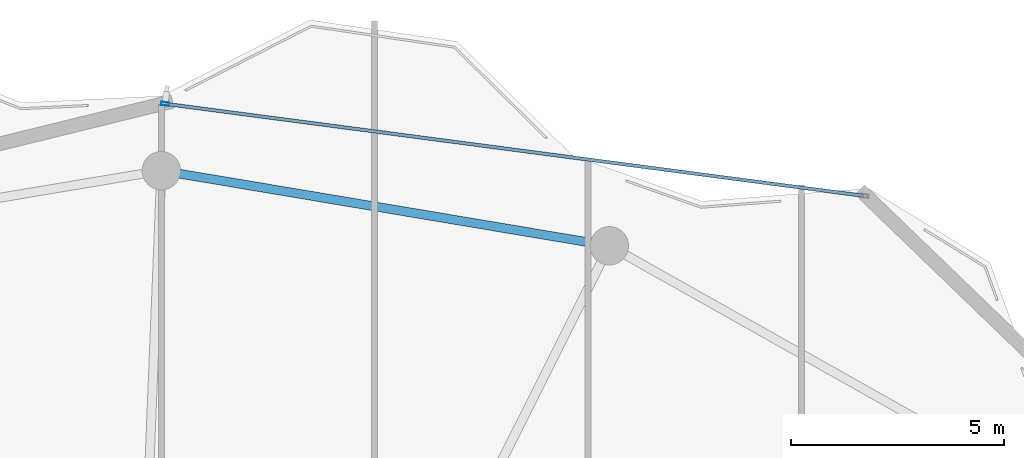
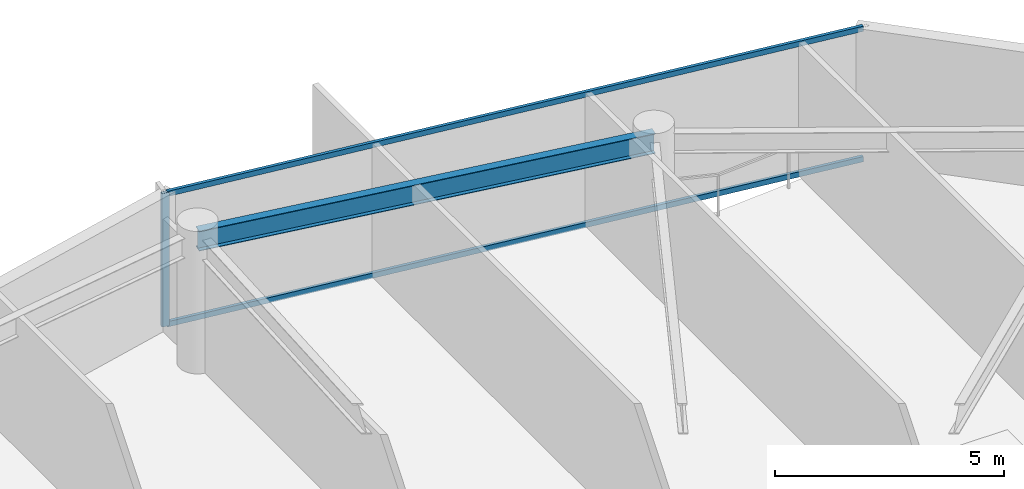
# One storey, part 21 of 30: 3 members, 1 beam, 1 element without a shape of its own.
"""IFC4 building model written with IfcOpenShell, lengths in metres."""

from ifc_helpers import new_model, si_unit, direction, frame, origin, origin_2d, place, context, subcontext, project, spatial, hollow_rectangle, i_section, extrude, material, layer, layer_set, material_profile, profile_set, type_object, element, aggregate, save


model = new_model("IFC4")

# Units and contexts
model_context = context("Model", 3, precision=1e-05, world=origin(), true_north=direction((0.0, 1.0)))
body_context = subcontext(model_context, "Body", "Model", "MODEL_VIEW")
ifc_project = project(units=[si_unit("LENGTHUNIT", "METRE"), si_unit("AREAUNIT", "SQUARE_METRE"), si_unit("VOLUMEUNIT", "CUBIC_METRE"), si_unit("PLANEANGLEUNIT", "RADIAN"), si_unit("MASSUNIT", "GRAM", prefix="KILO")], contexts=[model_context])

# Site, building, storey
site_placement = place(None, origin())
site = spatial("IfcSite", under=ifc_project, at=site_placement, CompositionType="ELEMENT")
building_placement = place(site_placement, origin())
building = spatial("IfcBuilding", under=site, at=building_placement, Name="Kazevale Care Tower and Concert Hall", CompositionType="ELEMENT")
storey_placement = place(building_placement, frame((0.0, 0.0, 258.60009765625)))
storey = spatial("IfcBuildingStorey", under=building, at=storey_placement, Name="L68", CompositionType="ELEMENT", Elevation=258.60009765625)

# Curtain wall, members
ifc_material_1 = material(Name="Aluminium 6063-T6 and Low-E Glass", Category="aluminium")
ifc_layer = layer(ifc_material_1, 0.179931640625)
ifc_layer_set = layer_set([ifc_layer], Name="Aluminium 6063-T6 and Low-E Glass")
curtain_wall_type = type_object("IfcCurtainWallType", Name="Waist & Upper Residential Curtain Wall CW-4", PredefinedType="NOTDEFINED", material=ifc_layer_set)
curtain_wall_placement = place(storey_placement, origin())
curtain_wall = element("IfcCurtainWall", 1, at=curtain_wall_placement, inside=storey, type_object=curtain_wall_type, Name="cw:L68:f16", PredefinedType="NOTDEFINED")
ifc_material_2 = material(Name="Aluminium 6063-T6", Category="aluminium")
ifc_material_profile_1 = material_profile(ifc_material_2, hollow_rectangle(XDim=0.080078125, YDim=0.179931640625, WallThickness=0.0048828125, at=origin_2d()), Name="ALU80x180x5")
ifc_profile_set_1 = profile_set([ifc_material_profile_1], Name="Aluminium 6063-T6")
member_type_1 = type_object("IfcMemberType", Name="CW-4 Mullion ALU80x180x5", PredefinedType="MULLION", material=ifc_profile_set_1)
member_1_placement = place(storey_placement, frame((45.086669921875, 62.716796875, 0.0), z_axis=(0.0, 0.0, 1.0), x_axis=(0.130591441567, 0.99143626895, 0.0)))
member_1 = element("IfcMember", 2, at=member_1_placement, type_object=member_type_1, Name="CW-4 mullion 1", PredefinedType="MULLION", context=body_context, shape_type="SweptSolid", body=[
    extrude(hollow_rectangle(XDim=0.080078125, YDim=0.179931640625, WallThickness=0.0048828125, at=origin_2d()), origin(), (0.0, 0.0, 1.0), 3.559814453125),
])
ifc_material_profile_2 = material_profile(ifc_material_2, hollow_rectangle(XDim=0.080078125, YDim=0.139892578125, WallThickness=0.00390625, at=origin_2d()), Name="ALU80x140x4")
ifc_profile_set_2 = profile_set([ifc_material_profile_2], Name="Aluminium 6063-T6")
member_type_2 = type_object("IfcMemberType", Name="CW-4 Transom ALU80x140x4", PredefinedType="USERDEFINED", material=ifc_profile_set_2)
member_2_placement = place(storey_placement, frame((45.126220703125, 62.711669921875, 0.039794921875), z_axis=(0.99143606592, -0.130592982943, 0.0), x_axis=(0.130592982943, 0.99143606592, 0.0)))
member_2 = element("IfcMember", 3, at=member_2_placement, type_object=member_type_2, Name="CW-4 transom 1.1", ObjectType="TRANSOM", PredefinedType="USERDEFINED", context=body_context, shape_type="SweptSolid", body=[
    extrude(hollow_rectangle(XDim=0.080078125, YDim=0.139892578125, WallThickness=0.00390625, at=origin_2d()), origin(), (0.0, 0.0, 1.0), 16.464599609375),
])
member_3_placement = place(storey_placement, frame((45.126220703125, 62.711669921875, 3.52001953125), z_axis=(0.99143606592, -0.130592982943, 0.0), x_axis=(0.130592982943, 0.99143606592, 0.0)))
member_3 = element("IfcMember", 4, at=member_3_placement, type_object=member_type_2, Name="CW-4 transom 1.2", ObjectType="TRANSOM", PredefinedType="USERDEFINED", context=body_context, shape_type="SweptSolid", body=[
    extrude(hollow_rectangle(XDim=0.080078125, YDim=0.139892578125, WallThickness=0.00390625, at=origin_2d()), origin(), (0.0, 0.0, 1.0), 16.464599609375),
])
aggregate(curtain_wall, [member_1, member_2, member_3])

# Beam
ifc_material_3 = material(Name="Steel ASTM A572 Gr 50", Category="steel")
ifc_material_profile_3 = material_profile(ifc_material_3, i_section(OverallWidth=0.208984375, OverallDepth=0.532958984375, WebThickness=0.01025390625, FlangeThickness=0.015625, at=origin_2d()), Name="W530x92")
ifc_profile_set_3 = profile_set([ifc_material_profile_3], Name="Steel ASTM A572 Gr 50")
beam_type = type_object("IfcBeamType", Name="Upper Ring Beam W530x92", PredefinedType="BEAM", material=ifc_profile_set_3)
beam_placement = place(storey_placement, frame((55.5, 59.389892578125, 3.29345703125), z_axis=(-0.986241035683, 0.165313700387, 0.0), x_axis=(-0.165313700387, -0.986241035683, 0.0)))
element("IfcBeam", 5, at=beam_placement, inside=storey, type_object=beam_type, Name="beam:L68:ring:04", PredefinedType="BEAM", context=body_context, shape_type="SweptSolid", body=[
    extrude(i_section(OverallWidth=0.208984375, OverallDepth=0.532958984375, WebThickness=0.01025390625, FlangeThickness=0.015625, at=origin_2d()), origin(), (0.0, 0.0, 1.0), 10.646484375),
])

save(model, "model.ifc")
